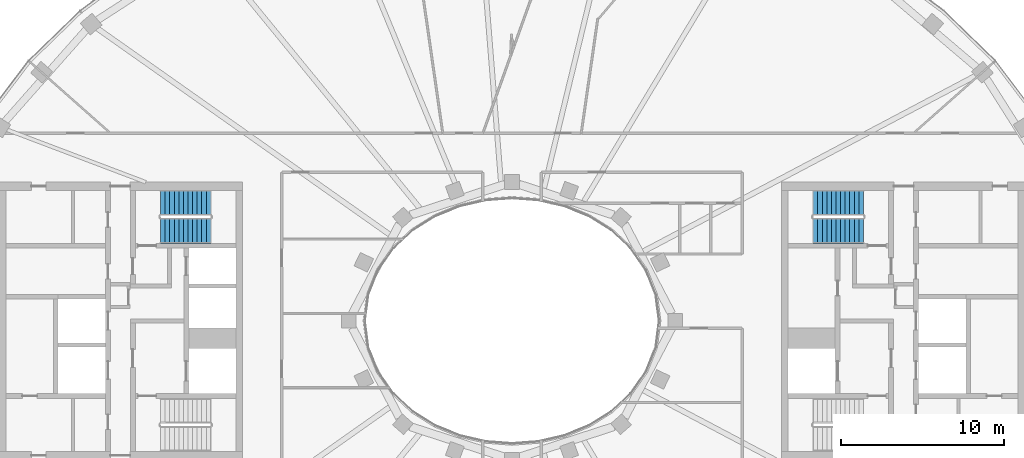
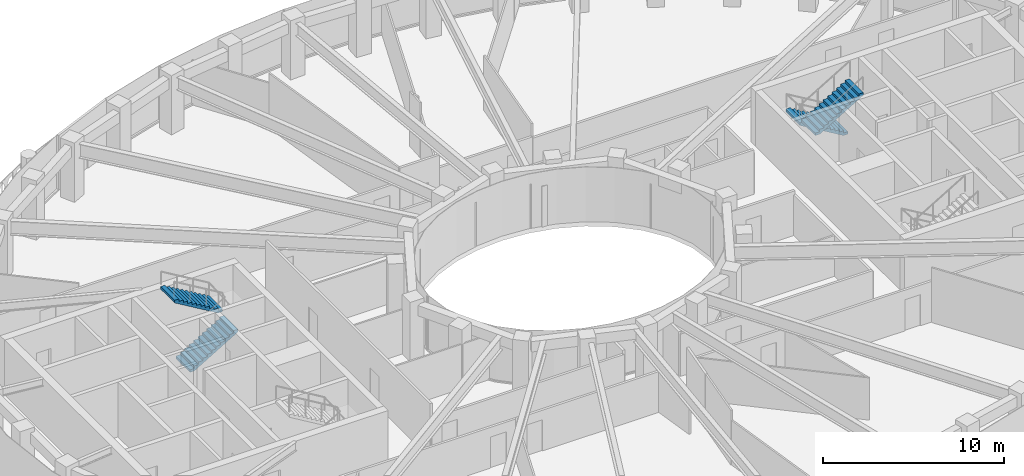
# One storey, part 7 of 15: 4 stair flights, 2 elements without a shape of their own.
"""IFC4 building model written with IfcOpenShell, lengths in metres."""

from ifc_helpers import new_model, si_unit, direction, frame, origin, place, context, subcontext, project, spatial, polyline, outline, extrude, material, type_object, element, aggregate, save


model = new_model("IFC4")

# Units and contexts
model_context = context("Model", 3, precision=1e-05, world=origin(), true_north=direction((0.0, 1.0)))
body_context = subcontext(model_context, "Body", "Model", "MODEL_VIEW")
ifc_project = project(units=[si_unit("LENGTHUNIT", "METRE"), si_unit("AREAUNIT", "SQUARE_METRE"), si_unit("VOLUMEUNIT", "CUBIC_METRE"), si_unit("PLANEANGLEUNIT", "RADIAN"), si_unit("MASSUNIT", "GRAM", prefix="KILO")], contexts=[model_context])

# Site, building, storey
site_placement = place(None, origin())
site = spatial("IfcSite", under=ifc_project, at=site_placement, CompositionType="ELEMENT")
building_placement = place(site_placement, origin())
building = spatial("IfcBuilding", under=site, at=building_placement, Name="Noorbagh Ring Tower", CompositionType="ELEMENT")
storey_placement = place(building_placement, frame((0.0, 0.0, 295.0)))
storey = spatial("IfcBuildingStorey", under=building, at=storey_placement, Name="L63", CompositionType="ELEMENT", Elevation=295.0)

# Stair, stair flights
ifc_material_1 = material(Name="Concrete C40/50", Category="concrete")
stair_type = type_object("IfcStairType", Name="CORE-STAIR", PredefinedType="HALF_TURN_STAIR", material=ifc_material_1)
stair_1_placement = place(storey_placement, origin())
stair_1 = element("IfcStair", 1, at=stair_1_placement, inside=storey, type_object=stair_type, Name="L63 Exit stair ST1", PredefinedType="HALF_TURN_STAIR")
ifc_material_2 = material(Name="Concrete C40/50", Category="concrete")
stair_flight_type = type_object("IfcStairFlightType", Name="CORE-STAIR-FLIGHT", PredefinedType="STRAIGHT", material=ifc_material_2)
stair_flight_1_placement = place(storey_placement, frame((-21.530029296875, 5.52490234375, 0.0), z_axis=(0.0, 0.0, 1.0), x_axis=(1.0, 0.0, 0.0)))
stair_flight_1 = element("IfcStairFlight", 2, at=stair_flight_1_placement, type_object=stair_flight_type, Name="ST1 flight 1", NumberOfRisers=12, NumberOfTreads=11, PredefinedType="STRAIGHT", RiserHeight=0.166666667, TreadLength=0.28, context=body_context, shape_type="SweptSolid", body=[
    extrude(outline(polyline([(0.0, 0.0), (0.0, 0.166748046875), (0.280029296875, 0.166748046875), (0.280029296875, 0.333251953125), (0.56005859375, 0.333251953125), (0.56005859375, 0.5), (0.840087890625, 0.5), (0.840087890625, 0.666748046875), (1.1201171875, 0.666748046875), (1.1201171875, 0.833251953125), (1.39990234375, 0.833251953125), (1.39990234375, 1.0), (1.679931640625, 1.0), (1.679931640625, 1.166748046875), (1.9599609375, 1.166748046875), (1.9599609375, 1.333251953125), (2.239990234375, 1.333251953125), (2.239990234375, 1.5), (2.52001953125, 1.5), (2.52001953125, 1.666748046875), (2.800048828125, 1.666748046875), (2.800048828125, 1.833251953125), (3.080078125, 1.833251953125), (3.080078125, 2.0), (3.080078125, 1.658935546875), (0.29296875, 0.0), (0.0, 0.0)])), frame((0.0, 0.77490234375, 0.0), z_axis=(0.0, -1.0, 0.0), x_axis=(1.0, 0.0, 0.0)), (0.0, 0.0, 1.0), 1.550048828125),
])
stair_flight_2_placement = place(storey_placement, frame((-18.449951171875, 7.22509765625, 2.0), z_axis=(0.0, 0.0, 1.0), x_axis=(-1.0, 0.0, 0.0)))
stair_flight_2 = element("IfcStairFlight", 3, at=stair_flight_2_placement, type_object=stair_flight_type, Name="ST1 flight 2", NumberOfRisers=12, NumberOfTreads=11, PredefinedType="STRAIGHT", RiserHeight=0.166666667, TreadLength=0.28, context=body_context, shape_type="SweptSolid", body=[
    extrude(outline(polyline([(0.0, 0.0), (0.0, 0.166748046875), (0.280029296875, 0.166748046875), (0.280029296875, 0.333251953125), (0.56005859375, 0.333251953125), (0.56005859375, 0.5), (0.840087890625, 0.5), (0.840087890625, 0.666748046875), (1.1201171875, 0.666748046875), (1.1201171875, 0.833251953125), (1.39990234375, 0.833251953125), (1.39990234375, 1.0), (1.679931640625, 1.0), (1.679931640625, 1.166748046875), (1.9599609375, 1.166748046875), (1.9599609375, 1.333251953125), (2.239990234375, 1.333251953125), (2.239990234375, 1.5), (2.52001953125, 1.5), (2.52001953125, 1.666748046875), (2.800048828125, 1.666748046875), (2.800048828125, 1.833251953125), (3.080078125, 1.833251953125), (3.080078125, 2.0), (3.080078125, 1.658935546875), (0.29296875, 0.0), (0.0, 0.0)])), frame((0.0, 0.77490234375, 0.0), z_axis=(0.0, -1.0, 0.0), x_axis=(1.0, 0.0, 0.0)), (0.0, 0.0, 1.0), 1.550048828125),
])
aggregate(stair_1, [stair_flight_1, stair_flight_2])

stair_2_placement = place(storey_placement, origin())
stair_2 = element("IfcStair", 4, at=stair_2_placement, inside=storey, type_object=stair_type, Name="L63 Exit stair ST3", PredefinedType="HALF_TURN_STAIR")
stair_flight_3_placement = place(storey_placement, frame((21.530029296875, 7.22509765625, 0.0), z_axis=(0.0, 0.0, 1.0), x_axis=(-1.0, 0.0, 0.0)))
stair_flight_3 = element("IfcStairFlight", 5, at=stair_flight_3_placement, type_object=stair_flight_type, Name="ST3 flight 1", NumberOfRisers=12, NumberOfTreads=11, PredefinedType="STRAIGHT", RiserHeight=0.166666667, TreadLength=0.28, context=body_context, shape_type="SweptSolid", body=[
    extrude(outline(polyline([(0.0, 0.0), (0.0, 0.166748046875), (0.280029296875, 0.166748046875), (0.280029296875, 0.333251953125), (0.56005859375, 0.333251953125), (0.56005859375, 0.5), (0.840087890625, 0.5), (0.840087890625, 0.666748046875), (1.1201171875, 0.666748046875), (1.1201171875, 0.833251953125), (1.39990234375, 0.833251953125), (1.39990234375, 1.0), (1.679931640625, 1.0), (1.679931640625, 1.166748046875), (1.9599609375, 1.166748046875), (1.9599609375, 1.333251953125), (2.239990234375, 1.333251953125), (2.239990234375, 1.5), (2.52001953125, 1.5), (2.52001953125, 1.666748046875), (2.800048828125, 1.666748046875), (2.800048828125, 1.833251953125), (3.080078125, 1.833251953125), (3.080078125, 2.0), (3.080078125, 1.658935546875), (0.29296875, 0.0), (0.0, 0.0)])), frame((0.0, 0.77490234375, 0.0), z_axis=(0.0, -1.0, 0.0), x_axis=(1.0, 0.0, 0.0)), (0.0, 0.0, 1.0), 1.550048828125),
])
stair_flight_4_placement = place(storey_placement, frame((18.449951171875, 5.52490234375, 2.0), z_axis=(0.0, 0.0, 1.0), x_axis=(1.0, 0.0, 0.0)))
stair_flight_4 = element("IfcStairFlight", 6, at=stair_flight_4_placement, type_object=stair_flight_type, Name="ST3 flight 2", NumberOfRisers=12, NumberOfTreads=11, PredefinedType="STRAIGHT", RiserHeight=0.166666667, TreadLength=0.28, context=body_context, shape_type="SweptSolid", body=[
    extrude(outline(polyline([(0.0, 0.0), (0.0, 0.166748046875), (0.280029296875, 0.166748046875), (0.280029296875, 0.333251953125), (0.56005859375, 0.333251953125), (0.56005859375, 0.5), (0.840087890625, 0.5), (0.840087890625, 0.666748046875), (1.1201171875, 0.666748046875), (1.1201171875, 0.833251953125), (1.39990234375, 0.833251953125), (1.39990234375, 1.0), (1.679931640625, 1.0), (1.679931640625, 1.166748046875), (1.9599609375, 1.166748046875), (1.9599609375, 1.333251953125), (2.239990234375, 1.333251953125), (2.239990234375, 1.5), (2.52001953125, 1.5), (2.52001953125, 1.666748046875), (2.800048828125, 1.666748046875), (2.800048828125, 1.833251953125), (3.080078125, 1.833251953125), (3.080078125, 2.0), (3.080078125, 1.658935546875), (0.29296875, 0.0), (0.0, 0.0)])), frame((0.0, 0.77490234375, 0.0), z_axis=(0.0, -1.0, 0.0), x_axis=(1.0, 0.0, 0.0)), (0.0, 0.0, 1.0), 1.550048828125),
])
aggregate(stair_2, [stair_flight_3, stair_flight_4])

save(model, "model.ifc")
